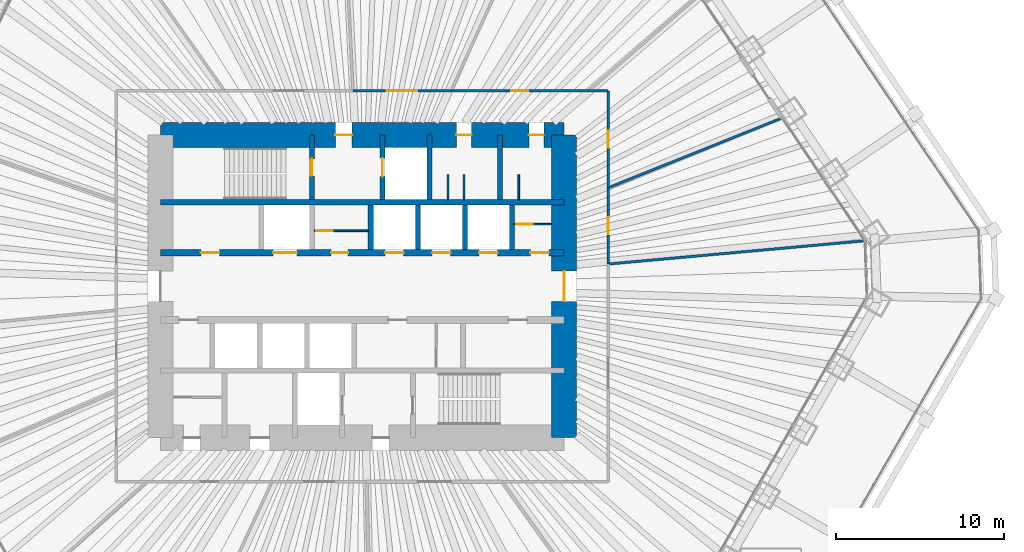
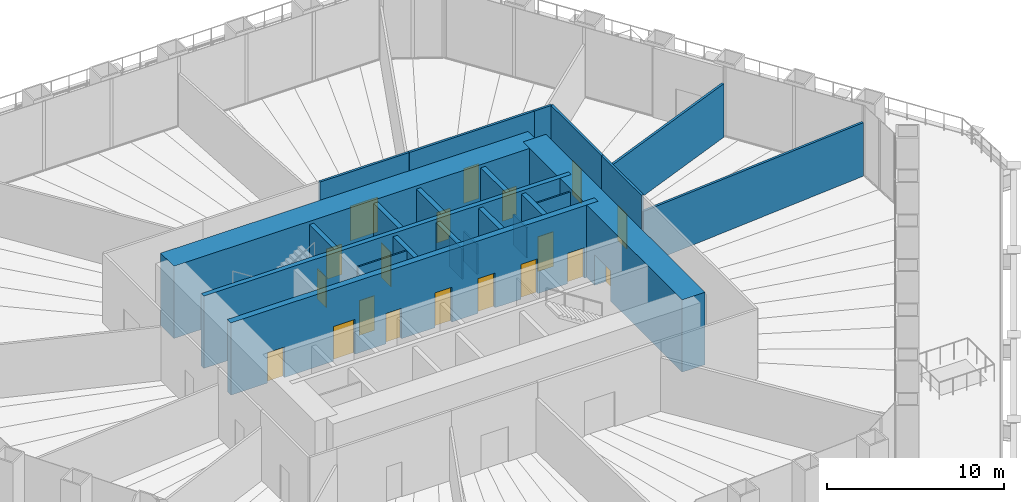
# One storey, part 16 of 20: 24 walls, 19 doors, 19 openings.
"""IFC4 building model written with IfcOpenShell, lengths in metres."""

from ifc_helpers import new_model, si_unit, direction, frame, frame_2d, origin, place, context, subcontext, project, spatial, rectangle, extrude, material, layer, layer_set, type_object, element, fill, save


model = new_model("IFC4")

# Units and contexts
model_context = context("Model", 3, precision=1e-05, world=origin(), true_north=direction((0.0, 1.0)))
body_context = subcontext(model_context, "Body", "Model", "MODEL_VIEW")
ifc_project = project(units=[si_unit("LENGTHUNIT", "METRE"), si_unit("AREAUNIT", "SQUARE_METRE"), si_unit("VOLUMEUNIT", "CUBIC_METRE"), si_unit("PLANEANGLEUNIT", "RADIAN"), si_unit("MASSUNIT", "GRAM", prefix="KILO")], contexts=[model_context])

# Site, building, storey
site_placement = place(None, origin())
site = spatial("IfcSite", under=ifc_project, at=site_placement, CompositionType="ELEMENT")
building_placement = place(site_placement, origin())
building = spatial("IfcBuilding", under=site, at=building_placement, Name="Qingtian Harvest Tower", CompositionType="ELEMENT")
storey_placement = place(building_placement, frame((0.0, 0.0, 17.0)))
storey = spatial("IfcBuildingStorey", under=building, at=storey_placement, Name="L03", CompositionType="ELEMENT", Elevation=17.0)

# Wall
ifc_material_1 = material(Name="Concrete fc' 70 MPa", Category="concrete")
ifc_layer_1 = layer(ifc_material_1, 0.300048828125)
ifc_layer_set_1 = layer_set([ifc_layer_1], Name="Core inner wall RC5 300")
wall_type_1 = type_object("IfcWallType", Name="Core inner wall RC5 300", PredefinedType="SHEAR", material=ifc_layer_set_1)
wall_1_placement = place(storey_placement, frame((-12.0, 5.0, 0.0), z_axis=(0.0, 0.0, 1.0), x_axis=(1.0, 0.0, 0.0)))
element("IfcWall", 1, at=wall_1_placement, inside=storey, type_object=wall_type_1, Name="Core wall IN5 L03", PredefinedType="SHEAR", context=body_context, shape_type="SweptSolid", body=[
    extrude(rectangle(XDim=24.0, YDim=0.300048828125, at=frame_2d((12.0, 0.0))), origin(), (0.0, 0.0, 1.0), 5.0),
])

# Wall, openings, doors
ifc_material_2 = material(Name="Concrete fc' 70 MPa", Category="concrete")
ifc_layer_2 = layer(ifc_material_2, 0.39990234375)
ifc_layer_set_2 = layer_set([ifc_layer_2], Name="Core inner web RC6 400")
wall_type_2 = type_object("IfcWallType", Name="Core inner web RC6 400", PredefinedType="SHEAR", material=ifc_layer_set_2)
wall_2_placement = place(storey_placement, frame((-12.0, 2.0, 0.0), z_axis=(0.0, 0.0, 1.0), x_axis=(1.0, 0.0, 0.0)))
wall_2 = element("IfcWall", 2, at=wall_2_placement, inside=storey, type_object=wall_type_2, Name="Core wall IN2 L03", PredefinedType="SHEAR", context=body_context, shape_type="SweptSolid", body=[
    extrude(rectangle(XDim=24.0, YDim=0.39990234375, at=frame_2d((12.0, 0.0))), origin(), (0.0, 0.0, 1.0), 5.0),
])
opening_1_placement = place(wall_2_placement, frame((2.39990234375, 0.0, 0.0)))
opening_1 = element("IfcOpeningElement", 3, at=opening_1_placement, cuts=wall_2, Name="Opening FD4", PredefinedType="OPENING", context=body_context, shape_type="SweptSolid", body=[
    extrude(rectangle(XDim=1.10009765625, YDim=2.10009765625, at=frame_2d((0.550048828125, 1.050048828125))), frame((0.0, 0.2099609375, 0.0), z_axis=(0.0, -1.0, 0.0), x_axis=(1.0, 0.0, 0.0)), (0.0, 0.0, 1.0), 0.419921875),
])
opening_2_placement = place(wall_2_placement, frame((22.0, 0.0, 0.0)))
opening_2 = element("IfcOpeningElement", 4, at=opening_2_placement, cuts=wall_2, Name="Opening FD4", PredefinedType="OPENING", context=body_context, shape_type="SweptSolid", body=[
    extrude(rectangle(XDim=1.10009765625, YDim=2.10009765625, at=frame_2d((0.550048828125, 1.050048828125))), frame((0.0, 0.2099609375, 0.0), z_axis=(0.0, -1.0, 0.0), x_axis=(1.0, 0.0, 0.0)), (0.0, 0.0, 1.0), 0.419921875),
])
opening_3_placement = place(wall_2_placement, frame((10.14990234375, 0.0, 0.0)))
opening_3 = element("IfcOpeningElement", 5, at=opening_3_placement, cuts=wall_2, Name="Opening FD1", PredefinedType="OPENING", context=body_context, shape_type="SweptSolid", body=[
    extrude(rectangle(XDim=1.0, YDim=2.10009765625, at=frame_2d((0.5, 1.050048828125))), frame((0.0, 0.2099609375, 0.0), z_axis=(0.0, -1.0, 0.0), x_axis=(1.0, 0.0, 0.0)), (0.0, 0.0, 1.0), 0.419921875),
])
opening_4_placement = place(wall_2_placement, frame((6.699951171875, 0.0, 0.0)))
opening_4 = element("IfcOpeningElement", 6, at=opening_4_placement, cuts=wall_2, Name="Opening LD2", PredefinedType="OPENING", context=body_context, shape_type="SweptSolid", body=[
    extrude(rectangle(XDim=1.39990234375, YDim=2.39990234375, at=frame_2d((0.699951171875, 1.199951171875))), frame((0.0, 0.2099609375, 0.0), z_axis=(0.0, -1.0, 0.0), x_axis=(1.0, 0.0, 0.0)), (0.0, 0.0, 1.0), 0.419921875),
])
opening_5_placement = place(wall_2_placement, frame((13.35009765625, 0.0, 0.0)))
opening_5 = element("IfcOpeningElement", 7, at=opening_5_placement, cuts=wall_2, Name="Opening LD1", PredefinedType="OPENING", context=body_context, shape_type="SweptSolid", body=[
    extrude(rectangle(XDim=1.10009765625, YDim=2.39990234375, at=frame_2d((0.550048828125, 1.199951171875))), frame((0.0, 0.2099609375, 0.0), z_axis=(0.0, -1.0, 0.0), x_axis=(1.0, 0.0, 0.0)), (0.0, 0.0, 1.0), 0.419921875),
])
opening_6_placement = place(wall_2_placement, frame((16.14990234375, 0.0, 0.0)))
opening_6 = element("IfcOpeningElement", 8, at=opening_6_placement, cuts=wall_2, Name="Opening LD1", PredefinedType="OPENING", context=body_context, shape_type="SweptSolid", body=[
    extrude(rectangle(XDim=1.10009765625, YDim=2.39990234375, at=frame_2d((0.550048828125, 1.199951171875))), frame((0.0, 0.2099609375, 0.0), z_axis=(0.0, -1.0, 0.0), x_axis=(1.0, 0.0, 0.0)), (0.0, 0.0, 1.0), 0.419921875),
])
opening_7_placement = place(wall_2_placement, frame((18.949951171875, 0.0, 0.0)))
opening_7 = element("IfcOpeningElement", 9, at=opening_7_placement, cuts=wall_2, Name="Opening LD1", PredefinedType="OPENING", context=body_context, shape_type="SweptSolid", body=[
    extrude(rectangle(XDim=1.10009765625, YDim=2.39990234375, at=frame_2d((0.550048828125, 1.199951171875))), frame((0.0, 0.2099609375, 0.0), z_axis=(0.0, -1.0, 0.0), x_axis=(1.0, 0.0, 0.0)), (0.0, 0.0, 1.0), 0.419921875),
])
ifc_material_3 = material(Name="Steel-faced door leaf", Category="steel")
door_type_1 = type_object("IfcDoorType", Name="Fire door FD1 single 1 HR", OperationType="SINGLE_SWING_LEFT", PredefinedType="DOOR", material=ifc_material_3)
door_1_placement = place(opening_3_placement, origin())
door_1 = element("IfcDoor", 10, at=door_1_placement, inside=storey, type_object=door_type_1, Name="STA door L03", OperationType="SINGLE_SWING_LEFT", OverallHeight=2.10009765625, OverallWidth=1.0, PredefinedType="DOOR", context=body_context, shape_type="SweptSolid", body=[
    extrude(rectangle(XDim=1.0, YDim=2.10009765625, at=frame_2d((0.5, 1.050048828125))), frame((0.0, 0.02490234375, 0.0), z_axis=(0.0, -1.0, 0.0), x_axis=(1.0, 0.0, 0.0)), (0.0, 0.0, 1.0), 0.050048828125),
])
fill(opening_3, door_1)
ifc_material_4 = material(Name="Steel-faced door leaf", Category="steel")
door_type_2 = type_object("IfcDoorType", Name="Fire door FD4 single 2 HR", OperationType="SINGLE_SWING_LEFT", PredefinedType="DOOR", material=ifc_material_4)
door_2_placement = place(opening_1_placement, origin())
door_2 = element("IfcDoor", 11, at=door_2_placement, inside=storey, type_object=door_type_2, Name="RA door L03", OperationType="SINGLE_SWING_LEFT", OverallHeight=2.10009765625, OverallWidth=1.10009765625, PredefinedType="DOOR", context=body_context, shape_type="SweptSolid", body=[
    extrude(rectangle(XDim=1.10009765625, YDim=2.10009765625, at=frame_2d((0.550048828125, 1.050048828125))), frame((0.0, 0.02490234375, 0.0), z_axis=(0.0, -1.0, 0.0), x_axis=(1.0, 0.0, 0.0)), (0.0, 0.0, 1.0), 0.050048828125),
])
fill(opening_1, door_2)
door_3_placement = place(opening_2_placement, origin())
door_3 = element("IfcDoor", 12, at=door_3_placement, inside=storey, type_object=door_type_2, Name="AHU door L03", OperationType="SINGLE_SWING_RIGHT", OverallHeight=2.10009765625, OverallWidth=1.10009765625, PredefinedType="DOOR", context=body_context, shape_type="SweptSolid", body=[
    extrude(rectangle(XDim=1.10009765625, YDim=2.10009765625, at=frame_2d((0.550048828125, 1.050048828125))), frame((0.0, 0.02490234375, 0.0), z_axis=(0.0, -1.0, 0.0), x_axis=(1.0, 0.0, 0.0)), (0.0, 0.0, 1.0), 0.050048828125),
])
fill(opening_2, door_3)
ifc_material_5 = material(Name="Stainless steel lift landing door", Category="steel")
door_type_3 = type_object("IfcDoorType", Name="Goods lift landing door LD2 1 HR", OperationType="DOUBLE_DOOR_SLIDING", PredefinedType="DOOR", material=ifc_material_5)
door_4_placement = place(opening_4_placement, origin())
door_4 = element("IfcDoor", 13, at=door_4_placement, inside=storey, type_object=door_type_3, Name="GL1 landing door L03", OperationType="DOUBLE_DOOR_SLIDING", OverallHeight=2.39990234375, OverallWidth=1.39990234375, PredefinedType="DOOR", context=body_context, shape_type="SweptSolid", body=[
    extrude(rectangle(XDim=1.39990234375, YDim=2.39990234375, at=frame_2d((0.699951171875, 1.199951171875))), frame((0.0, 0.02490234375, 0.0), z_axis=(0.0, -1.0, 0.0), x_axis=(1.0, 0.0, 0.0)), (0.0, 0.0, 1.0), 0.050048828125),
])
fill(opening_4, door_4)
ifc_material_6 = material(Name="Stainless steel lift landing door", Category="steel")
door_type_4 = type_object("IfcDoorType", Name="Lift landing door LD1 1 HR", OperationType="DOUBLE_DOOR_SLIDING", PredefinedType="DOOR", material=ifc_material_6)
door_5_placement = place(opening_5_placement, origin())
door_5 = element("IfcDoor", 14, at=door_5_placement, inside=storey, type_object=door_type_4, Name="PLA1 landing door L03", OperationType="DOUBLE_DOOR_SLIDING", OverallHeight=2.39990234375, OverallWidth=1.10009765625, PredefinedType="DOOR", context=body_context, shape_type="SweptSolid", body=[
    extrude(rectangle(XDim=1.10009765625, YDim=2.39990234375, at=frame_2d((0.550048828125, 1.199951171875))), frame((0.0, 0.02490234375, 0.0), z_axis=(0.0, -1.0, 0.0), x_axis=(1.0, 0.0, 0.0)), (0.0, 0.0, 1.0), 0.050048828125),
])
fill(opening_5, door_5)
door_6_placement = place(opening_6_placement, origin())
door_6 = element("IfcDoor", 15, at=door_6_placement, inside=storey, type_object=door_type_4, Name="PLA2 landing door L03", OperationType="DOUBLE_DOOR_SLIDING", OverallHeight=2.39990234375, OverallWidth=1.10009765625, PredefinedType="DOOR", context=body_context, shape_type="SweptSolid", body=[
    extrude(rectangle(XDim=1.10009765625, YDim=2.39990234375, at=frame_2d((0.550048828125, 1.199951171875))), frame((0.0, 0.02490234375, 0.0), z_axis=(0.0, -1.0, 0.0), x_axis=(1.0, 0.0, 0.0)), (0.0, 0.0, 1.0), 0.050048828125),
])
fill(opening_6, door_6)
door_7_placement = place(opening_7_placement, origin())
door_7 = element("IfcDoor", 16, at=door_7_placement, inside=storey, type_object=door_type_4, Name="PLA3 landing door L03", OperationType="DOUBLE_DOOR_SLIDING", OverallHeight=2.39990234375, OverallWidth=1.10009765625, PredefinedType="DOOR", context=body_context, shape_type="SweptSolid", body=[
    extrude(rectangle(XDim=1.10009765625, YDim=2.39990234375, at=frame_2d((0.550048828125, 1.199951171875))), frame((0.0, 0.02490234375, 0.0), z_axis=(0.0, -1.0, 0.0), x_axis=(1.0, 0.0, 0.0)), (0.0, 0.0, 1.0), 0.050048828125),
])
fill(opening_7, door_7)

# Wall, opening, door
ifc_material_7 = material(Name="Precast concrete shaft panel", Category="concrete")
ifc_layer_3 = layer(ifc_material_7, 0.300048828125)
ifc_layer_set_3 = layer_set([ifc_layer_3], Name="Core shaft partition SW1 300")
wall_type_3 = type_object("IfcWallType", Name="Core shaft partition SW1 300", PredefinedType="PARTITIONING", material=ifc_layer_set_3)
wall_3_placement = place(storey_placement, frame((-3.0, 5.14990234375, 0.0), z_axis=(0.0, 0.0, 1.0), x_axis=(0.0, 1.0, 0.0)))
wall_3 = element("IfcWall", 17, at=wall_3_placement, inside=storey, type_object=wall_type_3, Name="Core shaft partition XN1 L03", PredefinedType="PARTITIONING", context=body_context, shape_type="SweptSolid", body=[
    extrude(rectangle(XDim=3.85009765625, YDim=0.300048828125, at=frame_2d((1.925048828125, 0.0))), origin(), (0.0, 0.0, 1.0), 4.780029296875),
])
opening_8_placement = place(wall_3_placement, frame((1.425048828125, 0.0, 0.0)))
opening_8 = element("IfcOpeningElement", 18, at=opening_8_placement, cuts=wall_3, Name="Opening FD1", PredefinedType="OPENING", context=body_context, shape_type="SweptSolid", body=[
    extrude(rectangle(XDim=1.0, YDim=2.10009765625, at=frame_2d((0.5, 1.050048828125))), frame((0.0, 0.159912109375, 0.0), z_axis=(0.0, -1.0, 0.0), x_axis=(1.0, 0.0, 0.0)), (0.0, 0.0, 1.0), 0.320068359375),
])
door_8_placement = place(opening_8_placement, origin())
door_8 = element("IfcDoor", 19, at=door_8_placement, inside=storey, type_object=door_type_1, Name="S1 door L03", OperationType="SINGLE_SWING_RIGHT", OverallHeight=2.10009765625, OverallWidth=1.0, PredefinedType="DOOR", context=body_context, shape_type="SweptSolid", body=[
    extrude(rectangle(XDim=1.0, YDim=2.10009765625, at=frame_2d((0.5, 1.050048828125))), frame((0.0, 0.02490234375, 0.0), z_axis=(0.0, -1.0, 0.0), x_axis=(1.0, 0.0, 0.0)), (0.0, 0.0, 1.0), 0.050048828125),
])
fill(opening_8, door_8)

wall_4_placement = place(storey_placement, frame((1.199951171875, 5.14990234375, 0.0), z_axis=(0.0, 0.0, 1.0), x_axis=(0.0, 1.0, 0.0)))
wall_4 = element("IfcWall", 20, at=wall_4_placement, inside=storey, type_object=wall_type_3, Name="Core shaft partition XN2 L03", PredefinedType="PARTITIONING", context=body_context, shape_type="SweptSolid", body=[
    extrude(rectangle(XDim=3.85009765625, YDim=0.300048828125, at=frame_2d((1.925048828125, 0.0))), origin(), (0.0, 0.0, 1.0), 4.780029296875),
])
opening_9_placement = place(wall_4_placement, frame((1.375, 0.0, 0.0)))
opening_9 = element("IfcOpeningElement", 21, at=opening_9_placement, cuts=wall_4, Name="Opening LD1", PredefinedType="OPENING", context=body_context, shape_type="SweptSolid", body=[
    extrude(rectangle(XDim=1.10009765625, YDim=2.39990234375, at=frame_2d((0.550048828125, 1.199951171875))), frame((0.0, 0.159912109375, 0.0), z_axis=(0.0, -1.0, 0.0), x_axis=(1.0, 0.0, 0.0)), (0.0, 0.0, 1.0), 0.320068359375),
])
door_9_placement = place(opening_9_placement, origin())
door_9 = element("IfcDoor", 22, at=door_9_placement, inside=storey, type_object=door_type_4, Name="FL1 landing door L03", OperationType="DOUBLE_DOOR_SLIDING", OverallHeight=2.39990234375, OverallWidth=1.10009765625, PredefinedType="DOOR", context=body_context, shape_type="SweptSolid", body=[
    extrude(rectangle(XDim=1.10009765625, YDim=2.39990234375, at=frame_2d((0.550048828125, 1.199951171875))), frame((0.0, 0.02490234375, 0.0), z_axis=(0.0, -1.0, 0.0), x_axis=(1.0, 0.0, 0.0)), (0.0, 0.0, 1.0), 0.050048828125),
])
fill(opening_9, door_9)

# Walls
for number, where, z_axis, x_axis, name in (
    (23, (4.0, 5.14990234375, 0.0), (0.0, 0.0, 1.0), (0.0, 1.0, 0.0), "Core shaft partition XN3 L03"),
    (24, (8.199951171875, 5.14990234375, 0.0), (0.0, 0.0, 1.0), (0.0, 1.0, 0.0), "Core shaft partition XN4 L03"),
):
    element("IfcWall", number, at=place(storey_placement, frame(where, z_axis=z_axis, x_axis=x_axis)), inside=storey, type_object=wall_type_3, Name=name, PredefinedType="PARTITIONING", context=body_context, shape_type="SweptSolid", body=[
        extrude(rectangle(XDim=3.85009765625, YDim=0.300048828125, at=frame_2d((1.925048828125, 0.0))), origin(), (0.0, 0.0, 1.0), 4.780029296875),
    ])
for number, where, z_axis, x_axis, name in (
    (25, (0.5, 2.199951171875, 0.0), (0.0, 0.0, 1.0), (0.0, 1.0, 0.0), "Core shaft partition XA3 L03"),
    (26, (3.300048828125, 2.199951171875, 0.0), (0.0, 0.0, 1.0), (0.0, 1.0, 0.0), "Core shaft partition XA4 L03"),
    (27, (6.10009765625, 2.199951171875, 0.0), (0.0, 0.0, 1.0), (0.0, 1.0, 0.0), "Core shaft partition XA5 L03"),
    (28, (8.89990234375, 2.199951171875, 0.0), (0.0, 0.0, 1.0), (0.0, 1.0, 0.0), "Core shaft partition XA6 L03"),
):
    element("IfcWall", number, at=place(storey_placement, frame(where, z_axis=z_axis, x_axis=x_axis)), inside=storey, type_object=wall_type_3, Name=name, PredefinedType="PARTITIONING", context=body_context, shape_type="SweptSolid", body=[
        extrude(rectangle(XDim=2.650146484375, YDim=0.300048828125, at=frame_2d((1.3251953125, 0.0))), origin(), (0.0, 0.0, 1.0), 4.780029296875),
    ])

# Wall, openings, doors
ifc_material_8 = material(Name="Concrete fc' 70 MPa", Category="concrete")
ifc_layer_4 = layer(ifc_material_8, 1.5)
ifc_layer_set_4 = layer_set([ifc_layer_4], Name="Core wall RC1 1500")
wall_type_4 = type_object("IfcWallType", Name="Core wall RC1 1500", PredefinedType="SHEAR", material=ifc_layer_set_4)
wall_5_placement = place(storey_placement, frame((-12.0, 9.0, 0.0), z_axis=(0.0, 0.0, 1.0), x_axis=(1.0, 0.0, 0.0)))
wall_5 = element("IfcWall", 29, at=wall_5_placement, inside=storey, type_object=wall_type_4, Name="Core wall CN L03", PredefinedType="SHEAR", context=body_context, shape_type="SweptSolid", body=[
    extrude(rectangle(XDim=24.0, YDim=1.5, at=frame_2d((12.0, 0.0))), origin(), (0.0, 0.0, 1.0), 5.0),
])
opening_10_placement = place(wall_5_placement, frame((10.39990234375, 0.0, 0.0)))
opening_10 = element("IfcOpeningElement", 30, at=opening_10_placement, cuts=wall_5, Name="Opening FD1", PredefinedType="OPENING", context=body_context, shape_type="SweptSolid", body=[
    extrude(rectangle(XDim=1.0, YDim=2.10009765625, at=frame_2d((0.5, 1.050048828125))), frame((0.0, 0.760009765625, 0.0), z_axis=(0.0, -1.0, 0.0), x_axis=(1.0, 0.0, 0.0)), (0.0, 0.0, 1.0), 1.52001953125),
])
opening_11_placement = place(wall_5_placement, frame((17.60009765625, 0.0, 0.0)))
opening_11 = element("IfcOpeningElement", 31, at=opening_11_placement, cuts=wall_5, Name="Opening D1", PredefinedType="OPENING", context=body_context, shape_type="SweptSolid", body=[
    extrude(rectangle(XDim=0.89990234375, YDim=2.10009765625, at=frame_2d((0.449951171875, 1.050048828125))), frame((0.0, 0.760009765625, 0.0), z_axis=(0.0, -1.0, 0.0), x_axis=(1.0, 0.0, 0.0)), (0.0, 0.0, 1.0), 1.52001953125),
])
opening_12_placement = place(wall_5_placement, frame((21.89990234375, 0.0, 0.0)))
opening_12 = element("IfcOpeningElement", 32, at=opening_12_placement, cuts=wall_5, Name="Opening D1", PredefinedType="OPENING", context=body_context, shape_type="SweptSolid", body=[
    extrude(rectangle(XDim=0.89990234375, YDim=2.10009765625, at=frame_2d((0.449951171875, 1.050048828125))), frame((0.0, 0.760009765625, 0.0), z_axis=(0.0, -1.0, 0.0), x_axis=(1.0, 0.0, 0.0)), (0.0, 0.0, 1.0), 1.52001953125),
])
door_10_placement = place(opening_10_placement, origin())
door_10 = element("IfcDoor", 33, at=door_10_placement, inside=storey, type_object=door_type_1, Name="V1 door L03", OperationType="SINGLE_SWING_LEFT", OverallHeight=2.10009765625, OverallWidth=1.0, PredefinedType="DOOR", context=body_context, shape_type="SweptSolid", body=[
    extrude(rectangle(XDim=1.0, YDim=2.10009765625, at=frame_2d((0.5, 1.050048828125))), frame((0.0, 0.02490234375, 0.0), z_axis=(0.0, -1.0, 0.0), x_axis=(1.0, 0.0, 0.0)), (0.0, 0.0, 1.0), 0.050048828125),
])
fill(opening_10, door_10)
ifc_material_9 = material(Name="Laminated timber door leaf", Category="wood")
door_type_5 = type_object("IfcDoorType", Name="Toilet door D1 single", OperationType="SINGLE_SWING_LEFT", PredefinedType="DOOR", material=ifc_material_9)
door_11_placement = place(opening_11_placement, origin())
door_11 = element("IfcDoor", 34, at=door_11_placement, inside=storey, type_object=door_type_5, Name="WCM door L03", OperationType="SINGLE_SWING_LEFT", OverallHeight=2.10009765625, OverallWidth=0.89990234375, PredefinedType="DOOR", context=body_context, shape_type="SweptSolid", body=[
    extrude(rectangle(XDim=0.89990234375, YDim=2.10009765625, at=frame_2d((0.449951171875, 1.050048828125))), frame((0.0, 0.02490234375, 0.0), z_axis=(0.0, -1.0, 0.0), x_axis=(1.0, 0.0, 0.0)), (0.0, 0.0, 1.0), 0.050048828125),
])
fill(opening_11, door_11)
door_12_placement = place(opening_12_placement, origin())
door_12 = element("IfcDoor", 35, at=door_12_placement, inside=storey, type_object=door_type_5, Name="WCF door L03", OperationType="SINGLE_SWING_LEFT", OverallHeight=2.10009765625, OverallWidth=0.89990234375, PredefinedType="DOOR", context=body_context, shape_type="SweptSolid", body=[
    extrude(rectangle(XDim=0.89990234375, YDim=2.10009765625, at=frame_2d((0.449951171875, 1.050048828125))), frame((0.0, 0.02490234375, 0.0), z_axis=(0.0, -1.0, 0.0), x_axis=(1.0, 0.0, 0.0)), (0.0, 0.0, 1.0), 0.050048828125),
])
fill(opening_12, door_12)

# Wall, opening, door
wall_6_placement = place(storey_placement, frame((12.0, -9.0, 0.0), z_axis=(0.0, 0.0, 1.0), x_axis=(0.0, 1.0, 0.0)))
wall_6 = element("IfcWall", 36, at=wall_6_placement, inside=storey, type_object=wall_type_4, Name="Core wall CE L03", PredefinedType="SHEAR", context=body_context, shape_type="SweptSolid", body=[
    extrude(rectangle(XDim=18.0, YDim=1.5, at=frame_2d((9.0, 0.0))), origin(), (0.0, 0.0, 1.0), 5.0),
])
opening_13_placement = place(wall_6_placement, frame((8.10009765625, 0.0, 0.0)))
opening_13 = element("IfcOpeningElement", 37, at=opening_13_placement, cuts=wall_6, Name="Opening FD2", PredefinedType="OPENING", context=body_context, shape_type="SweptSolid", body=[
    extrude(rectangle(XDim=1.800048828125, YDim=2.10009765625, at=frame_2d((0.89990234375, 1.050048828125))), frame((0.0, 0.760009765625, 0.0), z_axis=(0.0, -1.0, 0.0), x_axis=(1.0, 0.0, 0.0)), (0.0, 0.0, 1.0), 1.52001953125),
])
ifc_material_10 = material(Name="Steel-faced door leaf", Category="steel")
door_type_6 = type_object("IfcDoorType", Name="Fire door FD2 double 1 HR", OperationType="DOUBLE_DOOR_DOUBLE_SWING", PredefinedType="DOOR", material=ifc_material_10)
door_13_placement = place(opening_13_placement, origin())
door_13 = element("IfcDoor", 38, at=door_13_placement, inside=storey, type_object=door_type_6, Name="LOBBY-E door L03", OperationType="DOUBLE_DOOR_DOUBLE_SWING", OverallHeight=2.10009765625, OverallWidth=1.800048828125, PredefinedType="DOOR", context=body_context, shape_type="SweptSolid", body=[
    extrude(rectangle(XDim=1.800048828125, YDim=2.10009765625, at=frame_2d((0.89990234375, 1.050048828125))), frame((0.0, 0.02490234375, 0.0), z_axis=(0.0, -1.0, 0.0), x_axis=(1.0, 0.0, 0.0)), (0.0, 0.0, 1.0), 0.050048828125),
])
fill(opening_13, door_13)

ifc_material_11 = material(Name="Gypsum board on steel studs", Category="steel")
ifc_layer_5 = layer(ifc_material_11, 0.14990234375)
ifc_layer_set_5 = layer_set([ifc_layer_5], Name="Partition PT1 150")
wall_type_5 = type_object("IfcWallType", Name="Partition PT1 150", PredefinedType="PARTITIONING", material=ifc_layer_set_5)
wall_7_placement = place(storey_placement, frame((-0.555908203125, 11.625, 0.0), z_axis=(0.0, 0.0, 1.0), x_axis=(1.0, 0.0, 0.0)))
wall_7 = element("IfcWall", 39, at=wall_7_placement, inside=storey, type_object=wall_type_5, Name="Visitor reception room wall L03", PredefinedType="PARTITIONING", context=body_context, shape_type="SweptSolid", body=[
    extrude(rectangle(XDim=5.8408203125, YDim=0.14990234375, at=frame_2d((2.92041015625, 0.0))), origin(), (0.0, 0.0, 1.0), 4.800048828125),
])
opening_14_placement = place(wall_7_placement, frame((2.020263671875, 0.0, 0.0)))
opening_14 = element("IfcOpeningElement", 40, at=opening_14_placement, cuts=wall_7, Name="Opening D3", PredefinedType="OPENING", context=body_context, shape_type="SweptSolid", body=[
    extrude(rectangle(XDim=1.800048828125, YDim=2.39990234375, at=frame_2d((0.89990234375, 1.199951171875))), frame((0.0, 0.0849609375, 0.0), z_axis=(0.0, -1.0, 0.0), x_axis=(1.0, 0.0, 0.0)), (0.0, 0.0, 1.0), 0.169921875),
])
ifc_material_12 = material(Name="Laminated timber door leaf", Category="wood")
door_type_7 = type_object("IfcDoorType", Name="Room door D3 double", OperationType="DOUBLE_DOOR_DOUBLE_SWING", PredefinedType="DOOR", material=ifc_material_12)
door_14_placement = place(opening_14_placement, origin())
door_14 = element("IfcDoor", 41, at=door_14_placement, inside=storey, type_object=door_type_7, Name="Visitor reception room door L03", OperationType="DOUBLE_DOOR_DOUBLE_SWING", OverallHeight=2.39990234375, OverallWidth=1.800048828125, PredefinedType="DOOR", context=body_context, shape_type="SweptSolid", body=[
    extrude(rectangle(XDim=1.800048828125, YDim=2.39990234375, at=frame_2d((0.89990234375, 1.199951171875))), frame((0.0, 0.02490234375, 0.0), z_axis=(0.0, -1.0, 0.0), x_axis=(1.0, 0.0, 0.0)), (0.0, 0.0, 1.0), 0.050048828125),
])
fill(opening_14, door_14)

wall_8_placement = place(storey_placement, frame((5.284912109375, 11.625, 0.0), z_axis=(0.0, 0.0, 1.0), x_axis=(1.0, 0.0, 0.0)))
wall_8 = element("IfcWall", 42, at=wall_8_placement, inside=storey, type_object=wall_type_5, Name="Germination room wall L03", PredefinedType="PARTITIONING", context=body_context, shape_type="SweptSolid", body=[
    extrude(rectangle(XDim=8.171630859375, YDim=0.14990234375, at=frame_2d((4.0859375, 0.0))), origin(), (0.0, 0.0, 1.0), 4.800048828125),
])
opening_15_placement = place(wall_8_placement, frame((3.5859375, 0.0, 0.0)))
opening_15 = element("IfcOpeningElement", 43, at=opening_15_placement, cuts=wall_8, Name="Opening D2", PredefinedType="OPENING", context=body_context, shape_type="SweptSolid", body=[
    extrude(rectangle(XDim=1.0, YDim=2.39990234375, at=frame_2d((0.5, 1.199951171875))), frame((0.0, 0.0849609375, 0.0), z_axis=(0.0, -1.0, 0.0), x_axis=(1.0, 0.0, 0.0)), (0.0, 0.0, 1.0), 0.169921875),
])
ifc_material_13 = material(Name="Laminated timber door leaf", Category="wood")
door_type_8 = type_object("IfcDoorType", Name="Room door D2 single", OperationType="SINGLE_SWING_LEFT", PredefinedType="DOOR", material=ifc_material_13)
door_15_placement = place(opening_15_placement, origin())
door_15 = element("IfcDoor", 44, at=door_15_placement, inside=storey, type_object=door_type_8, Name="Germination room door L03", OperationType="SINGLE_SWING_RIGHT", OverallHeight=2.39990234375, OverallWidth=1.0, PredefinedType="DOOR", context=body_context, shape_type="SweptSolid", body=[
    extrude(rectangle(XDim=1.0, YDim=2.39990234375, at=frame_2d((0.5, 1.199951171875))), frame((0.0, 0.02490234375, 0.0), z_axis=(0.0, -1.0, 0.0), x_axis=(1.0, 0.0, 0.0)), (0.0, 0.0, 1.0), 0.050048828125),
])
fill(opening_15, door_15)

# Wall
wall_9_placement = place(storey_placement, frame((13.45654296875, 11.625, 0.0), z_axis=(0.0, 0.0, 1.0), x_axis=(1.0, 0.0, 0.0)))
element("IfcWall", 45, at=wall_9_placement, inside=storey, type_object=wall_type_5, Name="Tasting room wall L03", PredefinedType="PARTITIONING", context=body_context, shape_type="SweptSolid", body=[
    extrude(rectangle(XDim=1.16845703125, YDim=0.14990234375, at=frame_2d((0.584228515625, 0.0))), origin(), (0.0, 0.0, 1.0), 4.800048828125),
])

# Wall, opening, door
wall_10_placement = place(storey_placement, frame((14.625, 11.625, 0.0), z_axis=(0.0, 0.0, 1.0), x_axis=(0.0, -1.0, 0.0)))
wall_10 = element("IfcWall", 46, at=wall_10_placement, inside=storey, type_object=wall_type_5, Name="Tasting room wall L03", PredefinedType="PARTITIONING", context=body_context, shape_type="SweptSolid", body=[
    extrude(rectangle(XDim=5.7607421875, YDim=0.14990234375, at=frame_2d((2.88037109375, 0.0))), origin(), (0.0, 0.0, 1.0), 4.800048828125),
])
opening_16_placement = place(wall_10_placement, frame((2.38037109375, 0.0, 0.0)))
opening_16 = element("IfcOpeningElement", 47, at=opening_16_placement, cuts=wall_10, Name="Opening D2", PredefinedType="OPENING", context=body_context, shape_type="SweptSolid", body=[
    extrude(rectangle(XDim=1.0, YDim=2.39990234375, at=frame_2d((0.5, 1.199951171875))), frame((0.0, 0.0849609375, 0.0), z_axis=(0.0, -1.0, 0.0), x_axis=(1.0, 0.0, 0.0)), (0.0, 0.0, 1.0), 0.169921875),
])
door_16_placement = place(opening_16_placement, origin())
door_16 = element("IfcDoor", 48, at=door_16_placement, inside=storey, type_object=door_type_8, Name="Tasting room door L03", OperationType="SINGLE_SWING_RIGHT", OverallHeight=2.39990234375, OverallWidth=1.0, PredefinedType="DOOR", context=body_context, shape_type="SweptSolid", body=[
    extrude(rectangle(XDim=1.0, YDim=2.39990234375, at=frame_2d((0.5, 1.199951171875))), frame((0.0, 0.02490234375, 0.0), z_axis=(0.0, -1.0, 0.0), x_axis=(1.0, 0.0, 0.0)), (0.0, 0.0, 1.0), 0.050048828125),
])
fill(opening_16, door_16)

# Wall
wall_11_placement = place(storey_placement, frame((24.877197265625, 9.975341796875, 0.0), z_axis=(0.0, 0.0, 1.0), x_axis=(-0.928157765849, -0.372186998288, 0.0)))
element("IfcWall", 49, at=wall_11_placement, inside=storey, type_object=wall_type_5, Name="Exhibition room wall L03", PredefinedType="PARTITIONING", context=body_context, shape_type="SweptSolid", body=[
    extrude(rectangle(XDim=11.045654296875, YDim=0.14990234375, at=frame_2d((5.52294921875, 0.0))), origin(), (0.0, 0.0, 1.0), 3.699951171875),
])

# Wall, opening, door
wall_12_placement = place(storey_placement, frame((14.625, 5.8642578125, 0.0), z_axis=(0.0, 0.0, 1.0), x_axis=(0.0, -1.0, 0.0)))
wall_12 = element("IfcWall", 50, at=wall_12_placement, inside=storey, type_object=wall_type_5, Name="Exhibition room wall L03", PredefinedType="PARTITIONING", context=body_context, shape_type="SweptSolid", body=[
    extrude(rectangle(XDim=4.538818359375, YDim=0.14990234375, at=frame_2d((2.26953125, 0.0))), origin(), (0.0, 0.0, 1.0), 4.800048828125),
])
opening_17_placement = place(wall_12_placement, frame((1.76953125, 0.0, 0.0)))
opening_17 = element("IfcOpeningElement", 51, at=opening_17_placement, cuts=wall_12, Name="Opening D2", PredefinedType="OPENING", context=body_context, shape_type="SweptSolid", body=[
    extrude(rectangle(XDim=1.0, YDim=2.39990234375, at=frame_2d((0.5, 1.199951171875))), frame((0.0, 0.0849609375, 0.0), z_axis=(0.0, -1.0, 0.0), x_axis=(1.0, 0.0, 0.0)), (0.0, 0.0, 1.0), 0.169921875),
])
door_17_placement = place(opening_17_placement, origin())
door_17 = element("IfcDoor", 52, at=door_17_placement, inside=storey, type_object=door_type_8, Name="Exhibition room door L03", OperationType="SINGLE_SWING_RIGHT", OverallHeight=2.39990234375, OverallWidth=1.0, PredefinedType="DOOR", context=body_context, shape_type="SweptSolid", body=[
    extrude(rectangle(XDim=1.0, YDim=2.39990234375, at=frame_2d((0.5, 1.199951171875))), frame((0.0, 0.02490234375, 0.0), z_axis=(0.0, -1.0, 0.0), x_axis=(1.0, 0.0, 0.0)), (0.0, 0.0, 1.0), 0.050048828125),
])
fill(opening_17, door_17)

# Wall
wall_13_placement = place(storey_placement, frame((29.79638671875, 2.700439453125, 0.0), z_axis=(0.0, 0.0, 1.0), x_axis=(-0.99591812791, -0.090261190441, 0.0)))
element("IfcWall", 53, at=wall_13_placement, inside=storey, type_object=wall_type_5, Name="Packing room wall L03", PredefinedType="PARTITIONING", context=body_context, shape_type="SweptSolid", body=[
    extrude(rectangle(XDim=15.233642578125, YDim=0.14990234375, at=frame_2d((7.61669921875, 0.0))), origin(), (0.0, 0.0, 1.0), 3.699951171875),
])

# Wall, opening, door
ifc_material_14 = material(Name="Concrete block partition", Category="concrete")
ifc_layer_6 = layer(ifc_material_14, 0.10009765625)
ifc_layer_set_6 = layer_set([ifc_layer_6], Name="Store partition PT3 100")
wall_type_6 = type_object("IfcWallType", Name="Store partition PT3 100", PredefinedType="PARTITIONING", material=ifc_layer_set_6)
wall_14_placement = place(storey_placement, frame((-2.85009765625, 3.300048828125, 0.0), z_axis=(0.0, 0.0, 1.0), x_axis=(1.0, 0.0, 0.0)))
wall_14 = element("IfcWall", 54, at=wall_14_placement, inside=storey, type_object=wall_type_6, Name="Nutrient store wall L03", PredefinedType="PARTITIONING", context=body_context, shape_type="SweptSolid", body=[
    extrude(rectangle(XDim=3.2001953125, YDim=0.10009765625, at=frame_2d((1.60009765625, 0.0))), origin(), (0.0, 0.0, 1.0), 4.780029296875),
])
opening_18_placement = place(wall_14_placement, frame((0.10009765625, 0.0, 0.0)))
opening_18 = element("IfcOpeningElement", 55, at=opening_18_placement, cuts=wall_14, Name="Opening D2", PredefinedType="OPENING", context=body_context, shape_type="SweptSolid", body=[
    extrude(rectangle(XDim=1.0, YDim=2.39990234375, at=frame_2d((0.5, 1.199951171875))), frame((0.0, 0.06005859375, 0.0), z_axis=(0.0, -1.0, 0.0), x_axis=(1.0, 0.0, 0.0)), (0.0, 0.0, 1.0), 0.1201171875),
])
door_18_placement = place(opening_18_placement, origin())
door_18 = element("IfcDoor", 56, at=door_18_placement, inside=storey, type_object=door_type_8, Name="Nutrient store door L03", OperationType="SINGLE_SWING_RIGHT", OverallHeight=2.39990234375, OverallWidth=1.0, PredefinedType="DOOR", context=body_context, shape_type="SweptSolid", body=[
    extrude(rectangle(XDim=1.0, YDim=2.39990234375, at=frame_2d((0.5, 1.199951171875))), frame((0.0, 0.02490234375, 0.0), z_axis=(0.0, -1.0, 0.0), x_axis=(1.0, 0.0, 0.0)), (0.0, 0.0, 1.0), 0.050048828125),
])
fill(opening_18, door_18)

wall_15_placement = place(storey_placement, frame((9.050048828125, 3.699951171875, 0.0), z_axis=(0.0, 0.0, 1.0), x_axis=(1.0, 0.0, 0.0)))
wall_15 = element("IfcWall", 57, at=wall_15_placement, inside=storey, type_object=wall_type_6, Name="Filter plant room wall L03", PredefinedType="PARTITIONING", context=body_context, shape_type="SweptSolid", body=[
    extrude(rectangle(XDim=2.199951171875, YDim=0.10009765625, at=frame_2d((1.10009765625, 0.0))), origin(), (0.0, 0.0, 1.0), 4.780029296875),
])
opening_19_placement = place(wall_15_placement, frame((0.10009765625, 0.0, 0.0)))
opening_19 = element("IfcOpeningElement", 58, at=opening_19_placement, cuts=wall_15, Name="Opening D2", PredefinedType="OPENING", context=body_context, shape_type="SweptSolid", body=[
    extrude(rectangle(XDim=1.0, YDim=2.39990234375, at=frame_2d((0.5, 1.199951171875))), frame((0.0, 0.06005859375, 0.0), z_axis=(0.0, -1.0, 0.0), x_axis=(1.0, 0.0, 0.0)), (0.0, 0.0, 1.0), 0.1201171875),
])
door_19_placement = place(opening_19_placement, origin())
door_19 = element("IfcDoor", 59, at=door_19_placement, inside=storey, type_object=door_type_8, Name="Filter plant room door L03", OperationType="SINGLE_SWING_LEFT", OverallHeight=2.39990234375, OverallWidth=1.0, PredefinedType="DOOR", context=body_context, shape_type="SweptSolid", body=[
    extrude(rectangle(XDim=1.0, YDim=2.39990234375, at=frame_2d((0.5, 1.199951171875))), frame((0.0, 0.02490234375, 0.0), z_axis=(0.0, -1.0, 0.0), x_axis=(1.0, 0.0, 0.0)), (0.0, 0.0, 1.0), 0.050048828125),
])
fill(opening_19, door_19)

# Walls
ifc_material_15 = material(Name="Compact laminate cubicle partition", Category="plastic")
ifc_layer_7 = layer(ifc_material_15, 0.10009765625)
ifc_layer_set_7 = layer_set([ifc_layer_7], Name="WC cubicle partition WP1 100")
wall_type_7 = type_object("IfcWallType", Name="WC cubicle partition WP1 100", PredefinedType="PARTITIONING", material=ifc_layer_set_7)
for number, where, z_axis, x_axis, name in (
    (60, (5.10009765625, 5.14990234375, 0.0), (0.0, 0.0, 1.0), (0.0, 1.0, 0.0), "WC cubicle partition WCM L03"),
    (61, (6.050048828125, 5.14990234375, 0.0), (0.0, 0.0, 1.0), (0.0, 1.0, 0.0), "WC cubicle partition WCM L03"),
    (62, (9.300048828125, 5.14990234375, 0.0), (0.0, 0.0, 1.0), (0.0, 1.0, 0.0), "WC cubicle partition WCF L03"),
):
    element("IfcWall", number, at=place(storey_placement, frame(where, z_axis=z_axis, x_axis=x_axis)), inside=storey, type_object=wall_type_7, Name=name, PredefinedType="PARTITIONING", context=body_context, shape_type="SweptSolid", body=[
        extrude(rectangle(XDim=1.5, YDim=0.10009765625, at=frame_2d((0.75, 0.0))), origin(), (0.0, 0.0, 1.0), 2.10009765625),
    ])

save(model, "model.ifc")
